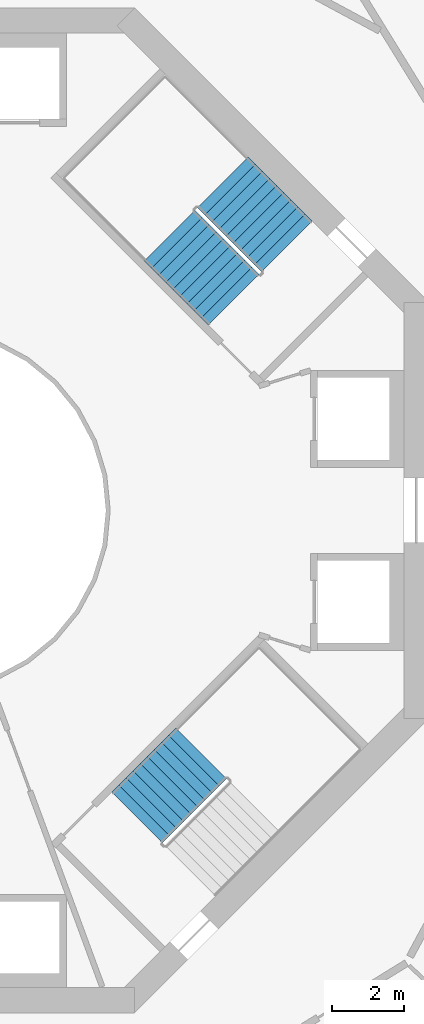
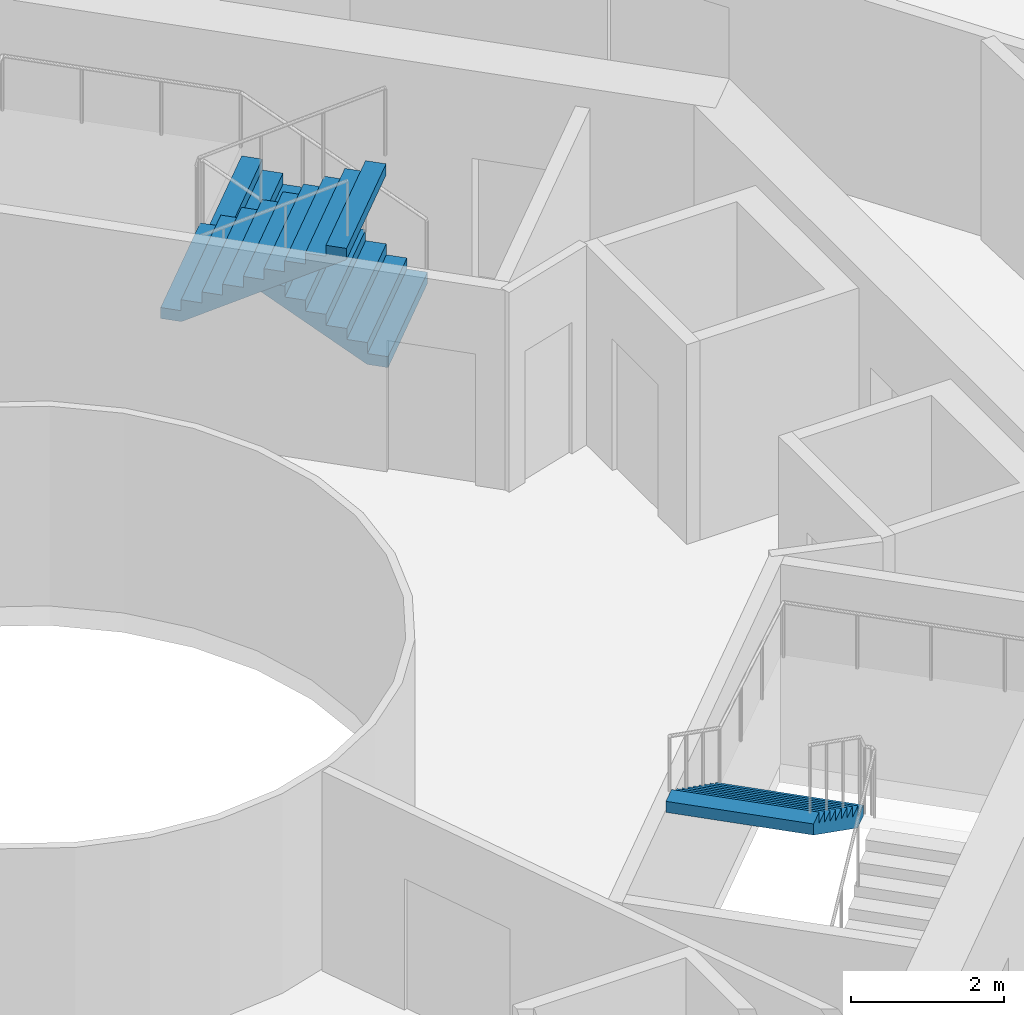
# One storey, part 21 of 22: 3 stair flights, 2 elements without a shape of their own.
"""IFC4 building model written with IfcOpenShell, lengths in metres."""

import ifcopenshell
import ifcopenshell.guid

model = None  # the IFC model being written
_history = None  # IfcOwnerHistory: only IFC2X3 demands one
_inside = {}  # id of a spatial element -> (the spatial element, [elements in it])
_under = {}  # id of a project, library or spatial element -> (it, [spatial elements below it])
_declared = {}  # id of a project -> (the project, [libraries it declares])
_typed = {}  # id of a type object -> (the type object, [elements of that type])
_made_of = {}  # id of a material, layer set ... -> (it, [elements and type objects made of it])


def new_model(schema):
    """Start an empty IFC model of exactly this schema.

    Asked for "IFC4X3", IfcOpenShell would pick the latest addendum, in which some entities
    have other attributes; the version numbers below select the first issue.
    IFC2X3 requires an IfcOwnerHistory on every rooted entity: one is made here for all.
    """
    global model, _history
    if schema == "IFC4X3":
        model = ifcopenshell.file(schema_version=(4, 3, 0, 0))
    else:
        model = ifcopenshell.file(schema=schema)
    _inside.clear()
    _under.clear()
    _declared.clear()
    _typed.clear()
    _made_of.clear()
    _history = None
    if model.schema == "IFC2X3":
        org = make("IfcOrganization", Name="unknown")
        user = make(
            "IfcPersonAndOrganization",
            ThePerson=make("IfcPerson", FamilyName="unknown"),
            TheOrganization=org,
        )
        app = make(
            "IfcApplication",
            ApplicationDeveloper=org,
            Version="unknown",
            ApplicationFullName="unknown",
            ApplicationIdentifier="unknown",
        )
        _history = make(
            "IfcOwnerHistory",
            OwningUser=user,
            OwningApplication=app,
            ChangeAction="ADDED",
            CreationDate=0,
        )
    return model


def make(cls, **values):
    """One entity of the class cls with the attributes given. An attribute that is None is left unset."""
    return model.create_entity(
        cls, **{name: value for name, value in values.items() if value is not None}
    )


def rooted(cls, **values):
    """An entity with a GlobalId (a new one), such as an element, a storey or a relation."""
    return make(cls, GlobalId=ifcopenshell.guid.new(), OwnerHistory=_history, **values)


def si_unit(unit_type, name, prefix=None):
    """IfcSIUnit, for example si_unit("LENGTHUNIT", "METRE", prefix="MILLI")."""
    return make("IfcSIUnit", UnitType=unit_type, Prefix=prefix, Name=name)


def assignment(units):
    """IfcUnitAssignment: the units of a project."""
    return None if units is None else make("IfcUnitAssignment", Units=units)


def point(xyz):
    """IfcCartesianPoint."""
    return None if xyz is None else make("IfcCartesianPoint", Coordinates=xyz)


def direction(xyz):
    """IfcDirection."""
    return None if xyz is None else make("IfcDirection", DirectionRatios=xyz)


def frame(location, z_axis=None, x_axis=None):
    """IfcAxis2Placement3D, a coordinate frame: its origin and axes. An axis left out is left unset."""
    return make(
        "IfcAxis2Placement3D",
        Location=point(location),
        Axis=direction(z_axis),
        RefDirection=direction(x_axis),
    )


def origin():
    """The frame at (0, 0, 0) with its axes left unset."""
    return frame((0.0, 0.0, 0.0))


def place(relative_to, where):
    """IfcLocalPlacement: puts the frame where relative to a parent placement (None: the world)."""
    return make(
        "IfcLocalPlacement", PlacementRelTo=relative_to, RelativePlacement=where
    )


def context(
    kind, dimensions, precision=None, world=None, true_north=None, identifier=None
):
    """IfcGeometricRepresentationContext, for example the 3D "Model" context."""
    return make(
        "IfcGeometricRepresentationContext",
        ContextIdentifier=identifier,
        ContextType=kind,
        CoordinateSpaceDimension=dimensions,
        Precision=precision,
        WorldCoordinateSystem=world,
        TrueNorth=true_north,
    )


def subcontext(parent, identifier, kind, view, scale=None):
    """IfcGeometricRepresentationSubContext, for example "Body" below "Model"."""
    return make(
        "IfcGeometricRepresentationSubContext",
        ContextIdentifier=identifier,
        ContextType=kind,
        ParentContext=parent,
        TargetScale=scale,
        TargetView=view,
    )


def project(units=None, contexts=None):
    """IfcProject with its units and contexts."""
    return rooted(
        "IfcProject",
        Name="project",
        RepresentationContexts=contexts,
        UnitsInContext=assignment(units),
    )


def spatial(cls, under=None, at=None, **own):
    """A site, building, storey or space (cls), placed at a placement, below another one or the project."""
    s = rooted(cls, ObjectPlacement=at, **own)
    if under is not None:
        _under.setdefault(under.id(), (under, []))[1].append(s)
    return s


def point_list(points):
    """IfcCartesianPointList2D or 3D."""
    cls = (
        "IfcCartesianPointList2D" if len(points[0]) == 2 else "IfcCartesianPointList3D"
    )
    return make(cls, CoordList=points)


def triangles(points, corners, closed=None, point_numbers=None):
    """IfcTriangulatedFaceSet: each triangle names its three corners, points numbered from 1."""
    return make(
        "IfcTriangulatedFaceSet",
        Coordinates=point_list(points),
        Closed=closed,
        CoordIndex=corners,
        PnIndex=point_numbers,
    )


def shape(context_of_items, identifier, shape_type, items):
    """IfcShapeRepresentation: the items that make up one representation, for example the "Body"."""
    return make(
        "IfcShapeRepresentation",
        ContextOfItems=context_of_items,
        RepresentationIdentifier=identifier,
        RepresentationType=shape_type,
        Items=items,
    )


def material(Name=None, Category=None):
    """IfcMaterial."""
    return make("IfcMaterial", Name=Name, Category=Category)


def made_of(thing, what):
    """Note that an element or type object is made of a material, layer set ...; save() writes the relation."""
    if what is not None:
        _made_of.setdefault(what.id(), (what, []))[1].append(thing)
    return thing


def type_object(cls, material=None, **own):
    """A type object (cls), such as IfcWallType, which elements share."""
    return made_of(rooted(cls, **own), material)


def element(
    cls,
    number,
    at=None,
    inside=None,
    cuts=None,
    type_object=None,
    material=None,
    context=None,
    identifier="Body",
    shape_type=None,
    held_by="IfcProductDefinitionShape",
    body=None,
    shapes=None,
    **own,
):
    """One element of the class cls, such as IfcWall. Its Tag is "e" and its number.

    at: its placement. inside: the storey or other place that contains it. cuts: it is an
    opening in that element (IfcRelVoidsElement). A single representation is given by context,
    identifier, shape_type and body (its items); several are given by shapes. held_by: the class
    of the entity that holds the representations. save() writes the other relations.
    """
    e = rooted(cls, Tag="e%d" % number, ObjectPlacement=at, **own)
    if body is not None:
        shapes = [shape(context, identifier, shape_type, body)]
    if shapes is not None:
        e.Representation = make(held_by, Representations=shapes)
    if inside is not None:
        _inside.setdefault(inside.id(), (inside, []))[1].append(e)
    if cuts is not None:
        rooted(
            "IfcRelVoidsElement", RelatingBuildingElement=cuts, RelatedOpeningElement=e
        )
    if type_object is not None:
        _typed.setdefault(type_object.id(), (type_object, []))[1].append(e)
    return made_of(e, material)


def aggregate(whole, parts):
    """IfcRelAggregates: a whole, such as a stair, and the parts it consists of."""
    return rooted("IfcRelAggregates", RelatingObject=whole, RelatedObjects=parts)


def save(model, path):
    """Write the relations noted so far, then the file.

    IfcRelAggregates (storeys below a building ...), IfcRelContainedInSpatialStructure (elements
    in a storey), IfcRelDefinesByType, IfcRelAssociatesMaterial and IfcRelDeclares: one each for
    every whole, place, type object, material and project.
    """
    for whole, parts in _under.values():
        aggregate(whole, parts)
    for where, things in _inside.values():
        rooted(
            "IfcRelContainedInSpatialStructure",
            RelatedElements=things,
            RelatingStructure=where,
        )
    for kind, things in _typed.values():
        rooted("IfcRelDefinesByType", RelatedObjects=things, RelatingType=kind)
    for what, things in _made_of.values():
        rooted("IfcRelAssociatesMaterial", RelatedObjects=things, RelatingMaterial=what)
    for by, libraries in _declared.values():
        rooted("IfcRelDeclares", RelatingContext=by, RelatedDefinitions=libraries)
    model.write(path)


model = new_model("IFC4")

# Units and contexts
model_context = context("Model", 3, precision=1e-05, world=origin(), true_north=direction((0.0, 1.0)))
body_context = subcontext(model_context, "Body", "Model", "MODEL_VIEW")
ifc_project = project(units=[si_unit("LENGTHUNIT", "METRE"), si_unit("AREAUNIT", "SQUARE_METRE"), si_unit("VOLUMEUNIT", "CUBIC_METRE"), si_unit("PLANEANGLEUNIT", "RADIAN"), si_unit("MASSUNIT", "GRAM", prefix="KILO")], contexts=[model_context])

# Site, building, storey
site_placement = place(None, origin())
site = spatial("IfcSite", under=ifc_project, at=site_placement, CompositionType="ELEMENT")
building_placement = place(site_placement, origin())
building = spatial("IfcBuilding", under=site, at=building_placement, Name="Verdalira Terraces Hotel", CompositionType="ELEMENT")
storey_placement = place(building_placement, frame((0.0, 0.0, 162.0)))
storey = spatial("IfcBuildingStorey", under=building, at=storey_placement, Name="L39", CompositionType="ELEMENT", Elevation=162.0)

# Stair, stair flights
ifc_material_1 = material(Name="Concrete C40", Category="concrete")
stair_type = type_object("IfcStairType", Name="Core stair 20 risers 2000 mm wide", PredefinedType="HALF_TURN_STAIR", material=ifc_material_1)
stair_1_placement = place(storey_placement, origin())
stair_1 = element("IfcStair", 1, at=stair_1_placement, inside=storey, type_object=stair_type, Name="L39 Exit stair ST1", PredefinedType="HALF_TURN_STAIR")
ifc_material_2 = material(Name="Concrete C40", Category="concrete")
stair_flight_type = type_object("IfcStairFlightType", Name="Core stair flight 20 risers 2000 mm wide", PredefinedType="STRAIGHT", material=ifc_material_2)
stair_flight_1_placement = place(storey_placement, frame((10.041016, 7.354004, 0.0), z_axis=(0.0, 0.0, 1.0), x_axis=(-0.707106781, 0.707106781, 0.0)))
stair_flight_1 = element("IfcStairFlight", 2, at=stair_flight_1_placement, type_object=stair_flight_type, Name="ST1 flight 1", NumberOfRisers=10, NumberOfTreads=9, PredefinedType="STRAIGHT", RiserHeight=0.175, TreadLength=0.28, context=body_context, shape_type="Tessellation", body=[
    triangles([(0.0, 1.0, 0.0), (0.282715, 1.0, 0.0), (2.52002, 1.0, 1.398193), (0.0, -1.0, 0.0), (0.282715, -1.0, 0.0), (2.52002, -1.0, 1.398193), (2.52002, 1.0, 1.574951), (2.23999, 1.0, 1.574951), (2.52002, -1.0, 1.574951), (2.23999, -1.0, 1.574951), (2.23999, 1.0, 1.399902), (2.23999, -1.0, 1.399902), (1.959961, 1.0, 1.399902), (1.959961, -1.0, 1.399902), (1.959961, 1.0, 1.225098), (1.959961, -1.0, 1.225098), (1.679932, 1.0, 1.225098), (1.679932, 1.0, 1.050049), (1.679932, -1.0, 1.225098), (1.679932, -1.0, 1.050049), (1.399902, 1.0, 1.050049), (1.399902, 1.0, 0.875), (1.399902, -1.0, 1.050049), (1.399902, -1.0, 0.875), (1.120117, 1.0, 0.875), (1.120117, 1.0, 0.699951), (1.120117, -1.0, 0.875), (1.120117, -1.0, 0.699951), (0.840088, 1.0, 0.699951), (0.840088, 1.0, 0.524902), (0.840088, -1.0, 0.699951), (0.840088, -1.0, 0.524902), (0.560059, 1.0, 0.524902), (0.560059, 1.0, 0.350098), (0.560059, -1.0, 0.524902), (0.560059, -1.0, 0.350098), (0.280029, 1.0, 0.350098), (0.280029, 1.0, 0.175049), (0.280029, -1.0, 0.350098), (0.280029, -1.0, 0.175049), (0.0, 1.0, 0.175049), (0.0, -1.0, 0.175049), (0.0, -0.9375, 0.0), (0.0, -0.9375, 0.175049), (0.0, -0.875, 0.0), (0.0, -0.875, 0.175049), (0.0, -0.8125, 0.0), (0.0, -0.8125, 0.175049), (0.0, -0.75, 0.0), (0.0, -0.75, 0.175049), (0.0, -0.6875, 0.0), (0.0, -0.6875, 0.175049), (0.0, -0.625, 0.0), (0.0, -0.625, 0.175049), (0.0, -0.5625, 0.0), (0.0, -0.5625, 0.175049), (0.0, -0.5, 0.0), (0.0, -0.5, 0.175049), (0.0, -0.4375, 0.0), (0.0, -0.4375, 0.175049), (0.0, -0.375, 0.0), (0.0, -0.375, 0.175049), (0.0, -0.3125, 0.0), (0.0, -0.3125, 0.175049), (0.0, -0.25, 0.0), (0.0, -0.25, 0.175049), (0.0, -0.1875, 0.0), (0.0, -0.1875, 0.175049), (0.0, -0.125, 0.0), (0.0, -0.125, 0.175049), (0.0, -0.0625, 0.0), (0.0, -0.0625, 0.175049), (0.0, 0.0, 0.0), (0.0, 0.0, 0.175049), (0.0, 0.0625, 0.0), (0.0, 0.0625, 0.175049), (0.0, 0.125, 0.0), (0.0, 0.125, 0.175049), (0.0, 0.1875, 0.0), (0.0, 0.1875, 0.175049), (0.0, 0.25, 0.0), (0.0, 0.25, 0.175049), (0.0, 0.3125, 0.0), (0.0, 0.3125, 0.175049), (0.0, 0.375, 0.0), (0.0, 0.375, 0.175049), (0.0, 0.4375, 0.0), (0.0, 0.4375, 0.175049), (0.0, 0.5, 0.0), (0.0, 0.5, 0.175049), (0.0, 0.5625, 0.0), (0.0, 0.5625, 0.175049), (0.0, 0.625, 0.0), (0.0, 0.625, 0.175049), (0.0, 0.6875, 0.0), (0.0, 0.6875, 0.175049), (0.0, 0.75, 0.0), (0.0, 0.75, 0.175049), (0.0, 0.8125, 0.0), (0.0, 0.8125, 0.175049), (0.0, 0.875, 0.0), (0.0, 0.875, 0.175049), (0.0, 0.9375, 0.0), (0.0, 0.9375, 0.175049), (2.52002, -0.9375, 1.574951), (2.52002, -0.875, 1.574951), (2.52002, -0.8125, 1.574951), (2.52002, -0.75, 1.574951), (2.52002, -0.6875, 1.574951), (2.52002, -0.625, 1.574951), (2.52002, -0.5625, 1.574951), (2.52002, -0.5, 1.574951), (2.52002, -0.4375, 1.574951), (2.52002, -0.375, 1.574951), (2.52002, -0.3125, 1.574951), (2.52002, -0.25, 1.574951), (2.52002, -0.1875, 1.574951), (2.52002, -0.125, 1.574951), (2.52002, -0.0625, 1.574951), (2.52002, 0.0, 1.574951), (2.52002, 0.0625, 1.574951), (2.52002, 0.125, 1.574951), (2.52002, 0.1875, 1.574951), (2.52002, 0.25, 1.574951), (2.52002, 0.3125, 1.574951), (2.52002, 0.375, 1.574951), (2.52002, 0.4375, 1.574951), (2.52002, 0.5, 1.574951), (2.52002, 0.5625, 1.574951), (2.52002, 0.625, 1.574951), (2.52002, 0.6875, 1.574951), (2.52002, 0.75, 1.574951), (2.52002, 0.8125, 1.574951), (2.52002, 0.875, 1.574951), (2.52002, 0.9375, 1.574951), (2.52002, -0.9375, 1.398193), (2.52002, -0.875, 1.398193), (2.52002, -0.8125, 1.398193), (2.52002, -0.75, 1.398193), (2.52002, -0.6875, 1.398193), (2.52002, -0.625, 1.398193), (2.52002, -0.5625, 1.398193), (2.52002, -0.5, 1.398193), (2.52002, -0.4375, 1.398193), (2.52002, -0.375, 1.398193), (2.52002, -0.3125, 1.398193), (2.52002, -0.25, 1.398193), (2.52002, -0.1875, 1.398193), (2.52002, -0.125, 1.398193), (2.52002, -0.0625, 1.398193), (2.52002, 0.0, 1.398193), (2.52002, 0.0625, 1.398193), (2.52002, 0.125, 1.398193), (2.52002, 0.1875, 1.398193), (2.52002, 0.25, 1.398193), (2.52002, 0.3125, 1.398193), (2.52002, 0.375, 1.398193), (2.52002, 0.4375, 1.398193), (2.52002, 0.5, 1.398193), (2.52002, 0.5625, 1.398193), (2.52002, 0.625, 1.398193), (2.52002, 0.6875, 1.398193), (2.52002, 0.75, 1.398193), (2.52002, 0.8125, 1.398193), (2.52002, 0.875, 1.398193), (2.52002, 0.9375, 1.398193)], [[1, 3, 2], [4, 5, 6], [3, 8, 7], [6, 9, 10], [3, 11, 8], [6, 10, 12], [3, 13, 11], [6, 12, 14], [3, 15, 13], [6, 14, 16], [15, 18, 17], [16, 19, 20], [3, 18, 15], [6, 16, 20], [18, 22, 21], [20, 23, 24], [3, 22, 18], [6, 20, 24], [22, 26, 25], [24, 27, 28], [3, 26, 22], [6, 24, 28], [26, 30, 29], [28, 31, 32], [3, 30, 26], [6, 28, 32], [1, 30, 3], [4, 6, 32], [30, 34, 33], [32, 35, 36], [34, 38, 37], [36, 39, 40], [30, 38, 34], [32, 36, 40], [1, 38, 30], [4, 32, 40], [38, 1, 41], [40, 42, 4], [4, 44, 43], [4, 42, 44], [43, 46, 45], [43, 44, 46], [45, 48, 47], [45, 46, 48], [47, 50, 49], [47, 48, 50], [49, 52, 51], [49, 50, 52], [51, 54, 53], [51, 52, 54], [53, 56, 55], [53, 54, 56], [55, 58, 57], [55, 56, 58], [57, 60, 59], [57, 58, 60], [59, 62, 61], [59, 60, 62], [61, 64, 63], [61, 62, 64], [63, 66, 65], [63, 64, 66], [65, 68, 67], [65, 66, 68], [67, 70, 69], [67, 68, 70], [69, 72, 71], [69, 70, 72], [71, 74, 73], [71, 72, 74], [73, 76, 75], [73, 74, 76], [75, 78, 77], [75, 76, 78], [77, 80, 79], [77, 78, 80], [79, 82, 81], [79, 80, 82], [81, 84, 83], [81, 82, 84], [83, 86, 85], [83, 84, 86], [85, 88, 87], [85, 86, 88], [87, 90, 89], [87, 88, 90], [89, 92, 91], [89, 90, 92], [91, 94, 93], [91, 92, 94], [93, 96, 95], [93, 94, 96], [95, 98, 97], [95, 96, 98], [97, 100, 99], [97, 98, 100], [99, 102, 101], [99, 100, 102], [101, 104, 103], [101, 102, 104], [103, 41, 1], [103, 104, 41], [42, 40, 44], [44, 40, 46], [46, 40, 48], [48, 40, 50], [50, 40, 52], [52, 40, 54], [54, 40, 56], [56, 40, 58], [58, 40, 60], [60, 40, 62], [62, 40, 64], [64, 40, 66], [66, 40, 68], [68, 40, 70], [70, 40, 72], [72, 40, 74], [74, 40, 76], [76, 40, 78], [78, 40, 80], [80, 40, 82], [82, 40, 84], [84, 40, 86], [86, 40, 88], [88, 40, 90], [90, 40, 92], [92, 40, 94], [94, 40, 96], [96, 40, 98], [98, 40, 100], [100, 40, 102], [102, 40, 104], [104, 40, 41], [41, 40, 38], [40, 37, 38], [40, 39, 37], [39, 34, 37], [39, 36, 34], [36, 33, 34], [36, 35, 33], [35, 30, 33], [35, 32, 30], [32, 29, 30], [32, 31, 29], [31, 26, 29], [31, 28, 26], [28, 25, 26], [28, 27, 25], [27, 22, 25], [27, 24, 22], [24, 21, 22], [24, 23, 21], [23, 18, 21], [23, 20, 18], [20, 17, 18], [20, 19, 17], [19, 15, 17], [19, 16, 15], [16, 13, 15], [16, 14, 13], [14, 11, 13], [14, 12, 11], [12, 8, 11], [12, 10, 8], [9, 105, 10], [105, 106, 10], [106, 107, 10], [107, 108, 10], [108, 109, 10], [109, 110, 10], [110, 111, 10], [111, 112, 10], [112, 113, 10], [113, 114, 10], [114, 115, 10], [115, 116, 10], [116, 117, 10], [117, 118, 10], [118, 119, 10], [119, 120, 10], [120, 121, 10], [121, 122, 10], [122, 123, 10], [123, 124, 10], [124, 125, 10], [125, 126, 10], [126, 127, 10], [127, 128, 10], [128, 129, 10], [129, 130, 10], [130, 131, 10], [131, 132, 10], [132, 133, 10], [133, 134, 10], [134, 135, 10], [135, 7, 10], [7, 8, 10], [9, 136, 105], [9, 6, 136], [105, 137, 106], [105, 136, 137], [106, 138, 107], [106, 137, 138], [107, 139, 108], [107, 138, 139], [108, 140, 109], [108, 139, 140], [109, 141, 110], [109, 140, 141], [110, 142, 111], [110, 141, 142], [111, 143, 112], [111, 142, 143], [112, 144, 113], [112, 143, 144], [113, 145, 114], [113, 144, 145], [114, 146, 115], [114, 145, 146], [115, 147, 116], [115, 146, 147], [116, 148, 117], [116, 147, 148], [117, 149, 118], [117, 148, 149], [118, 150, 119], [118, 149, 150], [119, 151, 120], [119, 150, 151], [120, 152, 121], [120, 151, 152], [121, 153, 122], [121, 152, 153], [122, 154, 123], [122, 153, 154], [123, 155, 124], [123, 154, 155], [124, 156, 125], [124, 155, 156], [125, 157, 126], [125, 156, 157], [126, 158, 127], [126, 157, 158], [127, 159, 128], [127, 158, 159], [128, 160, 129], [128, 159, 160], [129, 161, 130], [129, 160, 161], [130, 162, 131], [130, 161, 162], [131, 163, 132], [131, 162, 163], [132, 164, 133], [132, 163, 164], [133, 165, 134], [133, 164, 165], [134, 166, 135], [134, 165, 166], [135, 3, 7], [135, 166, 3], [6, 5, 136], [136, 5, 137], [137, 5, 138], [138, 5, 139], [139, 5, 140], [140, 5, 141], [141, 5, 142], [142, 5, 143], [143, 5, 144], [144, 5, 145], [145, 5, 146], [146, 5, 147], [147, 5, 148], [148, 5, 149], [149, 5, 150], [150, 5, 151], [151, 5, 152], [152, 5, 153], [153, 5, 154], [154, 5, 155], [155, 5, 156], [156, 5, 157], [157, 5, 158], [158, 5, 159], [159, 5, 160], [160, 5, 161], [161, 5, 162], [162, 5, 163], [163, 5, 164], [164, 5, 165], [165, 5, 166], [166, 5, 3], [3, 5, 2], [4, 43, 5], [43, 45, 5], [45, 47, 5], [47, 49, 5], [49, 51, 5], [51, 53, 5], [53, 55, 5], [55, 57, 5], [57, 59, 5], [59, 61, 5], [61, 63, 5], [63, 65, 5], [65, 67, 5], [67, 69, 5], [69, 71, 5], [71, 73, 5], [73, 75, 5], [75, 77, 5], [77, 79, 5], [79, 81, 5], [81, 83, 5], [83, 85, 5], [85, 87, 5], [87, 89, 5], [89, 91, 5], [91, 93, 5], [93, 95, 5], [95, 97, 5], [97, 99, 5], [99, 101, 5], [101, 103, 5], [103, 1, 5], [1, 2, 5]], closed=True),
])
stair_flight_2_placement = place(storey_placement, frame((6.77417, 7.650879, 1.75), z_axis=(0.0, 0.0, 1.0), x_axis=(0.707106781, -0.707106781, 0.0)))
stair_flight_2 = element("IfcStairFlight", 3, at=stair_flight_2_placement, type_object=stair_flight_type, Name="ST1 flight 2", NumberOfRisers=10, NumberOfTreads=9, PredefinedType="STRAIGHT", RiserHeight=0.175, TreadLength=0.28, context=body_context, shape_type="Tessellation", body=[
    triangles([(0.0, 1.0, 0.0), (0.282715, 1.0, 0.0), (2.52002, 1.0, 1.398193), (0.0, -1.0, 0.0), (0.282715, -1.0, 0.0), (2.52002, -1.0, 1.398193), (2.52002, 1.0, 1.574951), (2.23999, 1.0, 1.574951), (2.52002, -1.0, 1.574951), (2.23999, -1.0, 1.574951), (2.23999, 1.0, 1.399902), (2.23999, -1.0, 1.399902), (1.959961, 1.0, 1.399902), (1.959961, -1.0, 1.399902), (1.959961, 1.0, 1.225098), (1.959961, -1.0, 1.225098), (1.679932, 1.0, 1.225098), (1.679932, 1.0, 1.050049), (1.679932, -1.0, 1.225098), (1.679932, -1.0, 1.050049), (1.399902, 1.0, 1.050049), (1.399902, 1.0, 0.875), (1.399902, -1.0, 1.050049), (1.399902, -1.0, 0.875), (1.120117, 1.0, 0.875), (1.120117, 1.0, 0.699951), (1.120117, -1.0, 0.875), (1.120117, -1.0, 0.699951), (0.840088, 1.0, 0.699951), (0.840088, 1.0, 0.524902), (0.840088, -1.0, 0.699951), (0.840088, -1.0, 0.524902), (0.560059, 1.0, 0.524902), (0.560059, 1.0, 0.350098), (0.560059, -1.0, 0.524902), (0.560059, -1.0, 0.350098), (0.280029, 1.0, 0.350098), (0.280029, 1.0, 0.175049), (0.280029, -1.0, 0.350098), (0.280029, -1.0, 0.175049), (0.0, 1.0, 0.175049), (0.0, -1.0, 0.175049), (0.0, -0.9375, 0.0), (0.0, -0.9375, 0.175049), (0.0, -0.875, 0.0), (0.0, -0.875, 0.175049), (0.0, -0.8125, 0.0), (0.0, -0.8125, 0.175049), (0.0, -0.75, 0.0), (0.0, -0.75, 0.175049), (0.0, -0.6875, 0.0), (0.0, -0.6875, 0.175049), (0.0, -0.625, 0.0), (0.0, -0.625, 0.175049), (0.0, -0.5625, 0.0), (0.0, -0.5625, 0.175049), (0.0, -0.5, 0.0), (0.0, -0.5, 0.175049), (0.0, -0.4375, 0.0), (0.0, -0.4375, 0.175049), (0.0, -0.375, 0.0), (0.0, -0.375, 0.175049), (0.0, -0.3125, 0.0), (0.0, -0.3125, 0.175049), (0.0, -0.25, 0.0), (0.0, -0.25, 0.175049), (0.0, -0.1875, 0.0), (0.0, -0.1875, 0.175049), (0.0, -0.125, 0.0), (0.0, -0.125, 0.175049), (0.0, -0.0625, 0.0), (0.0, -0.0625, 0.175049), (0.0, 0.0, 0.0), (0.0, 0.0, 0.175049), (0.0, 0.0625, 0.0), (0.0, 0.0625, 0.175049), (0.0, 0.125, 0.0), (0.0, 0.125, 0.175049), (0.0, 0.1875, 0.0), (0.0, 0.1875, 0.175049), (0.0, 0.25, 0.0), (0.0, 0.25, 0.175049), (0.0, 0.3125, 0.0), (0.0, 0.3125, 0.175049), (0.0, 0.375, 0.0), (0.0, 0.375, 0.175049), (0.0, 0.4375, 0.0), (0.0, 0.4375, 0.175049), (0.0, 0.5, 0.0), (0.0, 0.5, 0.175049), (0.0, 0.5625, 0.0), (0.0, 0.5625, 0.175049), (0.0, 0.625, 0.0), (0.0, 0.625, 0.175049), (0.0, 0.6875, 0.0), (0.0, 0.6875, 0.175049), (0.0, 0.75, 0.0), (0.0, 0.75, 0.175049), (0.0, 0.8125, 0.0), (0.0, 0.8125, 0.175049), (0.0, 0.875, 0.0), (0.0, 0.875, 0.175049), (0.0, 0.9375, 0.0), (0.0, 0.9375, 0.175049), (2.52002, -0.9375, 1.574951), (2.52002, -0.875, 1.574951), (2.52002, -0.8125, 1.574951), (2.52002, -0.75, 1.574951), (2.52002, -0.6875, 1.574951), (2.52002, -0.625, 1.574951), (2.52002, -0.5625, 1.574951), (2.52002, -0.5, 1.574951), (2.52002, -0.4375, 1.574951), (2.52002, -0.375, 1.574951), (2.52002, -0.3125, 1.574951), (2.52002, -0.25, 1.574951), (2.52002, -0.1875, 1.574951), (2.52002, -0.125, 1.574951), (2.52002, -0.0625, 1.574951), (2.52002, 0.0, 1.574951), (2.52002, 0.0625, 1.574951), (2.52002, 0.125, 1.574951), (2.52002, 0.1875, 1.574951), (2.52002, 0.25, 1.574951), (2.52002, 0.3125, 1.574951), (2.52002, 0.375, 1.574951), (2.52002, 0.4375, 1.574951), (2.52002, 0.5, 1.574951), (2.52002, 0.5625, 1.574951), (2.52002, 0.625, 1.574951), (2.52002, 0.6875, 1.574951), (2.52002, 0.75, 1.574951), (2.52002, 0.8125, 1.574951), (2.52002, 0.875, 1.574951), (2.52002, 0.9375, 1.574951), (2.52002, -0.9375, 1.398193), (2.52002, -0.875, 1.398193), (2.52002, -0.8125, 1.398193), (2.52002, -0.75, 1.398193), (2.52002, -0.6875, 1.398193), (2.52002, -0.625, 1.398193), (2.52002, -0.5625, 1.398193), (2.52002, -0.5, 1.398193), (2.52002, -0.4375, 1.398193), (2.52002, -0.375, 1.398193), (2.52002, -0.3125, 1.398193), (2.52002, -0.25, 1.398193), (2.52002, -0.1875, 1.398193), (2.52002, -0.125, 1.398193), (2.52002, -0.0625, 1.398193), (2.52002, 0.0, 1.398193), (2.52002, 0.0625, 1.398193), (2.52002, 0.125, 1.398193), (2.52002, 0.1875, 1.398193), (2.52002, 0.25, 1.398193), (2.52002, 0.3125, 1.398193), (2.52002, 0.375, 1.398193), (2.52002, 0.4375, 1.398193), (2.52002, 0.5, 1.398193), (2.52002, 0.5625, 1.398193), (2.52002, 0.625, 1.398193), (2.52002, 0.6875, 1.398193), (2.52002, 0.75, 1.398193), (2.52002, 0.8125, 1.398193), (2.52002, 0.875, 1.398193), (2.52002, 0.9375, 1.398193)], [[1, 3, 2], [4, 5, 6], [3, 8, 7], [6, 9, 10], [3, 11, 8], [6, 10, 12], [3, 13, 11], [6, 12, 14], [3, 15, 13], [6, 14, 16], [15, 18, 17], [16, 19, 20], [3, 18, 15], [6, 16, 20], [18, 22, 21], [20, 23, 24], [3, 22, 18], [6, 20, 24], [22, 26, 25], [24, 27, 28], [3, 26, 22], [6, 24, 28], [26, 30, 29], [28, 31, 32], [3, 30, 26], [6, 28, 32], [1, 30, 3], [4, 6, 32], [30, 34, 33], [32, 35, 36], [34, 38, 37], [36, 39, 40], [30, 38, 34], [32, 36, 40], [1, 38, 30], [4, 32, 40], [38, 1, 41], [40, 42, 4], [4, 44, 43], [4, 42, 44], [43, 46, 45], [43, 44, 46], [45, 48, 47], [45, 46, 48], [47, 50, 49], [47, 48, 50], [49, 52, 51], [49, 50, 52], [51, 54, 53], [51, 52, 54], [53, 56, 55], [53, 54, 56], [55, 58, 57], [55, 56, 58], [57, 60, 59], [57, 58, 60], [59, 62, 61], [59, 60, 62], [61, 64, 63], [61, 62, 64], [63, 66, 65], [63, 64, 66], [65, 68, 67], [65, 66, 68], [67, 70, 69], [67, 68, 70], [69, 72, 71], [69, 70, 72], [71, 74, 73], [71, 72, 74], [73, 76, 75], [73, 74, 76], [75, 78, 77], [75, 76, 78], [77, 80, 79], [77, 78, 80], [79, 82, 81], [79, 80, 82], [81, 84, 83], [81, 82, 84], [83, 86, 85], [83, 84, 86], [85, 88, 87], [85, 86, 88], [87, 90, 89], [87, 88, 90], [89, 92, 91], [89, 90, 92], [91, 94, 93], [91, 92, 94], [93, 96, 95], [93, 94, 96], [95, 98, 97], [95, 96, 98], [97, 100, 99], [97, 98, 100], [99, 102, 101], [99, 100, 102], [101, 104, 103], [101, 102, 104], [103, 41, 1], [103, 104, 41], [42, 40, 44], [44, 40, 46], [46, 40, 48], [48, 40, 50], [50, 40, 52], [52, 40, 54], [54, 40, 56], [56, 40, 58], [58, 40, 60], [60, 40, 62], [62, 40, 64], [64, 40, 66], [66, 40, 68], [68, 40, 70], [70, 40, 72], [72, 40, 74], [74, 40, 76], [76, 40, 78], [78, 40, 80], [80, 40, 82], [82, 40, 84], [84, 40, 86], [86, 40, 88], [88, 40, 90], [90, 40, 92], [92, 40, 94], [94, 40, 96], [96, 40, 98], [98, 40, 100], [100, 40, 102], [102, 40, 104], [104, 40, 41], [41, 40, 38], [40, 37, 38], [40, 39, 37], [39, 34, 37], [39, 36, 34], [36, 33, 34], [36, 35, 33], [35, 30, 33], [35, 32, 30], [32, 29, 30], [32, 31, 29], [31, 26, 29], [31, 28, 26], [28, 25, 26], [28, 27, 25], [27, 22, 25], [27, 24, 22], [24, 21, 22], [24, 23, 21], [23, 18, 21], [23, 20, 18], [20, 17, 18], [20, 19, 17], [19, 15, 17], [19, 16, 15], [16, 13, 15], [16, 14, 13], [14, 11, 13], [14, 12, 11], [12, 8, 11], [12, 10, 8], [9, 105, 10], [105, 106, 10], [106, 107, 10], [107, 108, 10], [108, 109, 10], [109, 110, 10], [110, 111, 10], [111, 112, 10], [112, 113, 10], [113, 114, 10], [114, 115, 10], [115, 116, 10], [116, 117, 10], [117, 118, 10], [118, 119, 10], [119, 120, 10], [120, 121, 10], [121, 122, 10], [122, 123, 10], [123, 124, 10], [124, 125, 10], [125, 126, 10], [126, 127, 10], [127, 128, 10], [128, 129, 10], [129, 130, 10], [130, 131, 10], [131, 132, 10], [132, 133, 10], [133, 134, 10], [134, 135, 10], [135, 7, 10], [7, 8, 10], [9, 136, 105], [9, 6, 136], [105, 137, 106], [105, 136, 137], [106, 138, 107], [106, 137, 138], [107, 139, 108], [107, 138, 139], [108, 140, 109], [108, 139, 140], [109, 141, 110], [109, 140, 141], [110, 142, 111], [110, 141, 142], [111, 143, 112], [111, 142, 143], [112, 144, 113], [112, 143, 144], [113, 145, 114], [113, 144, 145], [114, 146, 115], [114, 145, 146], [115, 147, 116], [115, 146, 147], [116, 148, 117], [116, 147, 148], [117, 149, 118], [117, 148, 149], [118, 150, 119], [118, 149, 150], [119, 151, 120], [119, 150, 151], [120, 152, 121], [120, 151, 152], [121, 153, 122], [121, 152, 153], [122, 154, 123], [122, 153, 154], [123, 155, 124], [123, 154, 155], [124, 156, 125], [124, 155, 156], [125, 157, 126], [125, 156, 157], [126, 158, 127], [126, 157, 158], [127, 159, 128], [127, 158, 159], [128, 160, 129], [128, 159, 160], [129, 161, 130], [129, 160, 161], [130, 162, 131], [130, 161, 162], [131, 163, 132], [131, 162, 163], [132, 164, 133], [132, 163, 164], [133, 165, 134], [133, 164, 165], [134, 166, 135], [134, 165, 166], [135, 3, 7], [135, 166, 3], [6, 5, 136], [136, 5, 137], [137, 5, 138], [138, 5, 139], [139, 5, 140], [140, 5, 141], [141, 5, 142], [142, 5, 143], [143, 5, 144], [144, 5, 145], [145, 5, 146], [146, 5, 147], [147, 5, 148], [148, 5, 149], [149, 5, 150], [150, 5, 151], [151, 5, 152], [152, 5, 153], [153, 5, 154], [154, 5, 155], [155, 5, 156], [156, 5, 157], [157, 5, 158], [158, 5, 159], [159, 5, 160], [160, 5, 161], [161, 5, 162], [162, 5, 163], [163, 5, 164], [164, 5, 165], [165, 5, 166], [166, 5, 3], [3, 5, 2], [4, 43, 5], [43, 45, 5], [45, 47, 5], [47, 49, 5], [49, 51, 5], [51, 53, 5], [53, 55, 5], [55, 57, 5], [57, 59, 5], [59, 61, 5], [61, 63, 5], [63, 65, 5], [65, 67, 5], [67, 69, 5], [69, 71, 5], [71, 73, 5], [73, 75, 5], [75, 77, 5], [77, 79, 5], [79, 81, 5], [81, 83, 5], [83, 85, 5], [85, 87, 5], [87, 89, 5], [89, 91, 5], [91, 93, 5], [93, 95, 5], [95, 97, 5], [97, 99, 5], [99, 101, 5], [101, 103, 5], [103, 1, 5], [1, 2, 5]], closed=True),
])
aggregate(stair_1, [stair_flight_1, stair_flight_2])

# Stair, stair flight
stair_2_placement = place(storey_placement, origin())
stair_2 = element("IfcStair", 4, at=stair_2_placement, inside=storey, type_object=stair_type, Name="L39 Exit stair ST3", PredefinedType="HALF_TURN_STAIR")
stair_flight_3_placement = place(storey_placement, frame((7.650879, -6.77417, 1.75), z_axis=(0.0, 0.0, 1.0), x_axis=(-0.707106781, -0.707106781, 0.0)))
stair_flight_3 = element("IfcStairFlight", 5, at=stair_flight_3_placement, type_object=stair_flight_type, Name="ST3 flight 2", NumberOfRisers=10, NumberOfTreads=9, PredefinedType="STRAIGHT", RiserHeight=0.175, TreadLength=0.28, context=body_context, shape_type="Tessellation", body=[
    triangles([(0.0, 1.0, 0.0), (0.282715, 1.0, 0.0), (2.52002, 1.0, 1.398193), (0.0, -1.0, 0.0), (0.282715, -1.0, 0.0), (2.52002, -1.0, 1.398193), (2.52002, 1.0, 1.574951), (2.23999, 1.0, 1.574951), (2.52002, -1.0, 1.574951), (2.23999, -1.0, 1.574951), (2.23999, 1.0, 1.399902), (2.23999, -1.0, 1.399902), (1.959961, 1.0, 1.399902), (1.959961, -1.0, 1.399902), (1.959961, 1.0, 1.225098), (1.959961, -1.0, 1.225098), (1.679932, 1.0, 1.225098), (1.679932, 1.0, 1.050049), (1.679932, -1.0, 1.225098), (1.679932, -1.0, 1.050049), (1.399902, 1.0, 1.050049), (1.399902, 1.0, 0.875), (1.399902, -1.0, 1.050049), (1.399902, -1.0, 0.875), (1.120117, 1.0, 0.875), (1.120117, 1.0, 0.699951), (1.120117, -1.0, 0.875), (1.120117, -1.0, 0.699951), (0.840088, 1.0, 0.699951), (0.840088, 1.0, 0.524902), (0.840088, -1.0, 0.699951), (0.840088, -1.0, 0.524902), (0.560059, 1.0, 0.524902), (0.560059, 1.0, 0.350098), (0.560059, -1.0, 0.524902), (0.560059, -1.0, 0.350098), (0.280029, 1.0, 0.350098), (0.280029, 1.0, 0.175049), (0.280029, -1.0, 0.350098), (0.280029, -1.0, 0.175049), (0.0, 1.0, 0.175049), (0.0, -1.0, 0.175049), (0.0, -0.9375, 0.0), (0.0, -0.9375, 0.175049), (0.0, -0.875, 0.0), (0.0, -0.875, 0.175049), (0.0, -0.8125, 0.0), (0.0, -0.8125, 0.175049), (0.0, -0.75, 0.0), (0.0, -0.75, 0.175049), (0.0, -0.6875, 0.0), (0.0, -0.6875, 0.175049), (0.0, -0.625, 0.0), (0.0, -0.625, 0.175049), (0.0, -0.5625, 0.0), (0.0, -0.5625, 0.175049), (0.0, -0.5, 0.0), (0.0, -0.5, 0.175049), (0.0, -0.4375, 0.0), (0.0, -0.4375, 0.175049), (0.0, -0.375, 0.0), (0.0, -0.375, 0.175049), (0.0, -0.3125, 0.0), (0.0, -0.3125, 0.175049), (0.0, -0.25, 0.0), (0.0, -0.25, 0.175049), (0.0, -0.1875, 0.0), (0.0, -0.1875, 0.175049), (0.0, -0.125, 0.0), (0.0, -0.125, 0.175049), (0.0, -0.0625, 0.0), (0.0, -0.0625, 0.175049), (0.0, 0.0, 0.0), (0.0, 0.0, 0.175049), (0.0, 0.0625, 0.0), (0.0, 0.0625, 0.175049), (0.0, 0.125, 0.0), (0.0, 0.125, 0.175049), (0.0, 0.1875, 0.0), (0.0, 0.1875, 0.175049), (0.0, 0.25, 0.0), (0.0, 0.25, 0.175049), (0.0, 0.3125, 0.0), (0.0, 0.3125, 0.175049), (0.0, 0.375, 0.0), (0.0, 0.375, 0.175049), (0.0, 0.4375, 0.0), (0.0, 0.4375, 0.175049), (0.0, 0.5, 0.0), (0.0, 0.5, 0.175049), (0.0, 0.5625, 0.0), (0.0, 0.5625, 0.175049), (0.0, 0.625, 0.0), (0.0, 0.625, 0.175049), (0.0, 0.6875, 0.0), (0.0, 0.6875, 0.175049), (0.0, 0.75, 0.0), (0.0, 0.75, 0.175049), (0.0, 0.8125, 0.0), (0.0, 0.8125, 0.175049), (0.0, 0.875, 0.0), (0.0, 0.875, 0.175049), (0.0, 0.9375, 0.0), (0.0, 0.9375, 0.175049), (2.52002, -0.9375, 1.574951), (2.52002, -0.875, 1.574951), (2.52002, -0.8125, 1.574951), (2.52002, -0.75, 1.574951), (2.52002, -0.6875, 1.574951), (2.52002, -0.625, 1.574951), (2.52002, -0.5625, 1.574951), (2.52002, -0.5, 1.574951), (2.52002, -0.4375, 1.574951), (2.52002, -0.375, 1.574951), (2.52002, -0.3125, 1.574951), (2.52002, -0.25, 1.574951), (2.52002, -0.1875, 1.574951), (2.52002, -0.125, 1.574951), (2.52002, -0.0625, 1.574951), (2.52002, 0.0, 1.574951), (2.52002, 0.0625, 1.574951), (2.52002, 0.125, 1.574951), (2.52002, 0.1875, 1.574951), (2.52002, 0.25, 1.574951), (2.52002, 0.3125, 1.574951), (2.52002, 0.375, 1.574951), (2.52002, 0.4375, 1.574951), (2.52002, 0.5, 1.574951), (2.52002, 0.5625, 1.574951), (2.52002, 0.625, 1.574951), (2.52002, 0.6875, 1.574951), (2.52002, 0.75, 1.574951), (2.52002, 0.8125, 1.574951), (2.52002, 0.875, 1.574951), (2.52002, 0.9375, 1.574951), (2.52002, -0.9375, 1.398193), (2.52002, -0.875, 1.398193), (2.52002, -0.8125, 1.398193), (2.52002, -0.75, 1.398193), (2.52002, -0.6875, 1.398193), (2.52002, -0.625, 1.398193), (2.52002, -0.5625, 1.398193), (2.52002, -0.5, 1.398193), (2.52002, -0.4375, 1.398193), (2.52002, -0.375, 1.398193), (2.52002, -0.3125, 1.398193), (2.52002, -0.25, 1.398193), (2.52002, -0.1875, 1.398193), (2.52002, -0.125, 1.398193), (2.52002, -0.0625, 1.398193), (2.52002, 0.0, 1.398193), (2.52002, 0.0625, 1.398193), (2.52002, 0.125, 1.398193), (2.52002, 0.1875, 1.398193), (2.52002, 0.25, 1.398193), (2.52002, 0.3125, 1.398193), (2.52002, 0.375, 1.398193), (2.52002, 0.4375, 1.398193), (2.52002, 0.5, 1.398193), (2.52002, 0.5625, 1.398193), (2.52002, 0.625, 1.398193), (2.52002, 0.6875, 1.398193), (2.52002, 0.75, 1.398193), (2.52002, 0.8125, 1.398193), (2.52002, 0.875, 1.398193), (2.52002, 0.9375, 1.398193)], [[1, 3, 2], [4, 5, 6], [3, 8, 7], [6, 9, 10], [3, 11, 8], [6, 10, 12], [3, 13, 11], [6, 12, 14], [3, 15, 13], [6, 14, 16], [15, 18, 17], [16, 19, 20], [3, 18, 15], [6, 16, 20], [18, 22, 21], [20, 23, 24], [3, 22, 18], [6, 20, 24], [22, 26, 25], [24, 27, 28], [3, 26, 22], [6, 24, 28], [26, 30, 29], [28, 31, 32], [3, 30, 26], [6, 28, 32], [1, 30, 3], [4, 6, 32], [30, 34, 33], [32, 35, 36], [34, 38, 37], [36, 39, 40], [30, 38, 34], [32, 36, 40], [1, 38, 30], [4, 32, 40], [38, 1, 41], [40, 42, 4], [4, 44, 43], [4, 42, 44], [43, 46, 45], [43, 44, 46], [45, 48, 47], [45, 46, 48], [47, 50, 49], [47, 48, 50], [49, 52, 51], [49, 50, 52], [51, 54, 53], [51, 52, 54], [53, 56, 55], [53, 54, 56], [55, 58, 57], [55, 56, 58], [57, 60, 59], [57, 58, 60], [59, 62, 61], [59, 60, 62], [61, 64, 63], [61, 62, 64], [63, 66, 65], [63, 64, 66], [65, 68, 67], [65, 66, 68], [67, 70, 69], [67, 68, 70], [69, 72, 71], [69, 70, 72], [71, 74, 73], [71, 72, 74], [73, 76, 75], [73, 74, 76], [75, 78, 77], [75, 76, 78], [77, 80, 79], [77, 78, 80], [79, 82, 81], [79, 80, 82], [81, 84, 83], [81, 82, 84], [83, 86, 85], [83, 84, 86], [85, 88, 87], [85, 86, 88], [87, 90, 89], [87, 88, 90], [89, 92, 91], [89, 90, 92], [91, 94, 93], [91, 92, 94], [93, 96, 95], [93, 94, 96], [95, 98, 97], [95, 96, 98], [97, 100, 99], [97, 98, 100], [99, 102, 101], [99, 100, 102], [101, 104, 103], [101, 102, 104], [103, 41, 1], [103, 104, 41], [42, 40, 44], [44, 40, 46], [46, 40, 48], [48, 40, 50], [50, 40, 52], [52, 40, 54], [54, 40, 56], [56, 40, 58], [58, 40, 60], [60, 40, 62], [62, 40, 64], [64, 40, 66], [66, 40, 68], [68, 40, 70], [70, 40, 72], [72, 40, 74], [74, 40, 76], [76, 40, 78], [78, 40, 80], [80, 40, 82], [82, 40, 84], [84, 40, 86], [86, 40, 88], [88, 40, 90], [90, 40, 92], [92, 40, 94], [94, 40, 96], [96, 40, 98], [98, 40, 100], [100, 40, 102], [102, 40, 104], [104, 40, 41], [41, 40, 38], [40, 37, 38], [40, 39, 37], [39, 34, 37], [39, 36, 34], [36, 33, 34], [36, 35, 33], [35, 30, 33], [35, 32, 30], [32, 29, 30], [32, 31, 29], [31, 26, 29], [31, 28, 26], [28, 25, 26], [28, 27, 25], [27, 22, 25], [27, 24, 22], [24, 21, 22], [24, 23, 21], [23, 18, 21], [23, 20, 18], [20, 17, 18], [20, 19, 17], [19, 15, 17], [19, 16, 15], [16, 13, 15], [16, 14, 13], [14, 11, 13], [14, 12, 11], [12, 8, 11], [12, 10, 8], [9, 105, 10], [105, 106, 10], [106, 107, 10], [107, 108, 10], [108, 109, 10], [109, 110, 10], [110, 111, 10], [111, 112, 10], [112, 113, 10], [113, 114, 10], [114, 115, 10], [115, 116, 10], [116, 117, 10], [117, 118, 10], [118, 119, 10], [119, 120, 10], [120, 121, 10], [121, 122, 10], [122, 123, 10], [123, 124, 10], [124, 125, 10], [125, 126, 10], [126, 127, 10], [127, 128, 10], [128, 129, 10], [129, 130, 10], [130, 131, 10], [131, 132, 10], [132, 133, 10], [133, 134, 10], [134, 135, 10], [135, 7, 10], [7, 8, 10], [9, 136, 105], [9, 6, 136], [105, 137, 106], [105, 136, 137], [106, 138, 107], [106, 137, 138], [107, 139, 108], [107, 138, 139], [108, 140, 109], [108, 139, 140], [109, 141, 110], [109, 140, 141], [110, 142, 111], [110, 141, 142], [111, 143, 112], [111, 142, 143], [112, 144, 113], [112, 143, 144], [113, 145, 114], [113, 144, 145], [114, 146, 115], [114, 145, 146], [115, 147, 116], [115, 146, 147], [116, 148, 117], [116, 147, 148], [117, 149, 118], [117, 148, 149], [118, 150, 119], [118, 149, 150], [119, 151, 120], [119, 150, 151], [120, 152, 121], [120, 151, 152], [121, 153, 122], [121, 152, 153], [122, 154, 123], [122, 153, 154], [123, 155, 124], [123, 154, 155], [124, 156, 125], [124, 155, 156], [125, 157, 126], [125, 156, 157], [126, 158, 127], [126, 157, 158], [127, 159, 128], [127, 158, 159], [128, 160, 129], [128, 159, 160], [129, 161, 130], [129, 160, 161], [130, 162, 131], [130, 161, 162], [131, 163, 132], [131, 162, 163], [132, 164, 133], [132, 163, 164], [133, 165, 134], [133, 164, 165], [134, 166, 135], [134, 165, 166], [135, 3, 7], [135, 166, 3], [6, 5, 136], [136, 5, 137], [137, 5, 138], [138, 5, 139], [139, 5, 140], [140, 5, 141], [141, 5, 142], [142, 5, 143], [143, 5, 144], [144, 5, 145], [145, 5, 146], [146, 5, 147], [147, 5, 148], [148, 5, 149], [149, 5, 150], [150, 5, 151], [151, 5, 152], [152, 5, 153], [153, 5, 154], [154, 5, 155], [155, 5, 156], [156, 5, 157], [157, 5, 158], [158, 5, 159], [159, 5, 160], [160, 5, 161], [161, 5, 162], [162, 5, 163], [163, 5, 164], [164, 5, 165], [165, 5, 166], [166, 5, 3], [3, 5, 2], [4, 43, 5], [43, 45, 5], [45, 47, 5], [47, 49, 5], [49, 51, 5], [51, 53, 5], [53, 55, 5], [55, 57, 5], [57, 59, 5], [59, 61, 5], [61, 63, 5], [63, 65, 5], [65, 67, 5], [67, 69, 5], [69, 71, 5], [71, 73, 5], [73, 75, 5], [75, 77, 5], [77, 79, 5], [79, 81, 5], [81, 83, 5], [83, 85, 5], [85, 87, 5], [87, 89, 5], [89, 91, 5], [91, 93, 5], [93, 95, 5], [95, 97, 5], [97, 99, 5], [99, 101, 5], [101, 103, 5], [103, 1, 5], [1, 2, 5]], closed=True),
])
aggregate(stair_2, [stair_flight_3])

save(model, "model.ifc")
